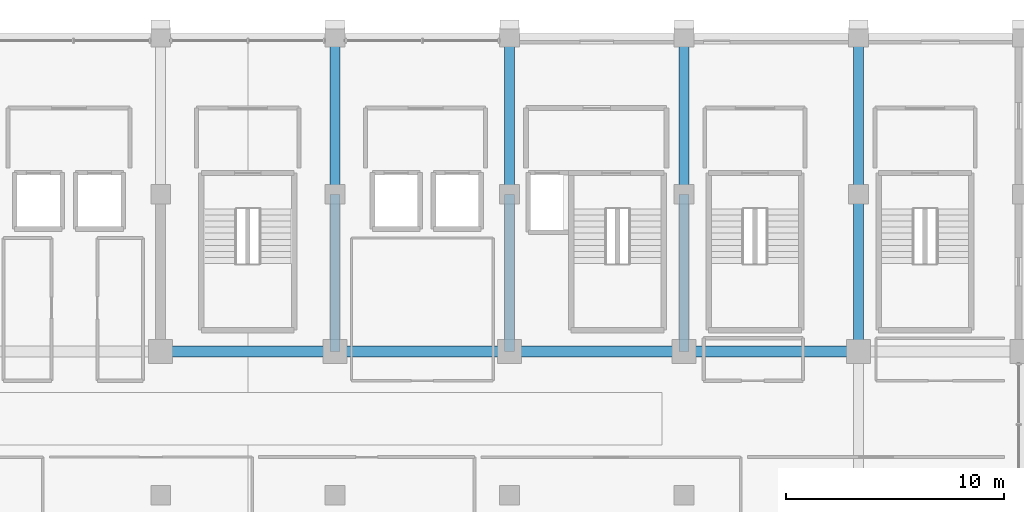
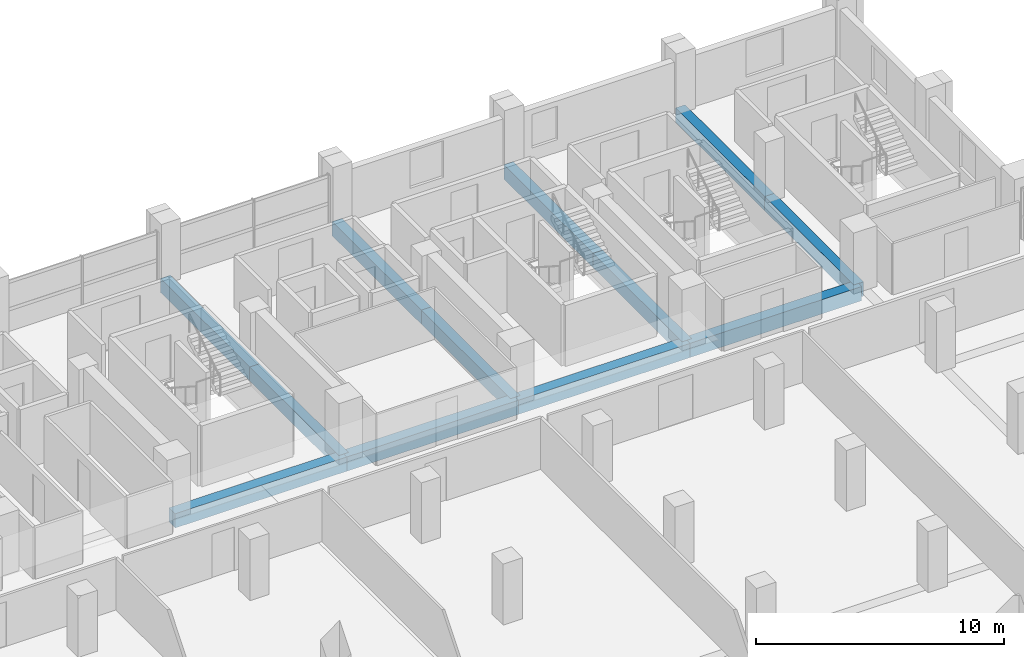
# One storey, part 11 of 21: 12 beams.
"""IFC4 building model written with IfcOpenShell, lengths in metres."""

import ifcopenshell
import ifcopenshell.guid

model = None  # the IFC model being written
_history = None  # IfcOwnerHistory: only IFC2X3 demands one
_inside = {}  # id of a spatial element -> (the spatial element, [elements in it])
_under = {}  # id of a project, library or spatial element -> (it, [spatial elements below it])
_declared = {}  # id of a project -> (the project, [libraries it declares])
_typed = {}  # id of a type object -> (the type object, [elements of that type])
_made_of = {}  # id of a material, layer set ... -> (it, [elements and type objects made of it])


def new_model(schema):
    """Start an empty IFC model of exactly this schema.

    Asked for "IFC4X3", IfcOpenShell would pick the latest addendum, in which some entities
    have other attributes; the version numbers below select the first issue.
    IFC2X3 requires an IfcOwnerHistory on every rooted entity: one is made here for all.
    """
    global model, _history
    if schema == "IFC4X3":
        model = ifcopenshell.file(schema_version=(4, 3, 0, 0))
    else:
        model = ifcopenshell.file(schema=schema)
    _inside.clear()
    _under.clear()
    _declared.clear()
    _typed.clear()
    _made_of.clear()
    _history = None
    if model.schema == "IFC2X3":
        org = make("IfcOrganization", Name="unknown")
        user = make(
            "IfcPersonAndOrganization",
            ThePerson=make("IfcPerson", FamilyName="unknown"),
            TheOrganization=org,
        )
        app = make(
            "IfcApplication",
            ApplicationDeveloper=org,
            Version="unknown",
            ApplicationFullName="unknown",
            ApplicationIdentifier="unknown",
        )
        _history = make(
            "IfcOwnerHistory",
            OwningUser=user,
            OwningApplication=app,
            ChangeAction="ADDED",
            CreationDate=0,
        )
    return model


def make(cls, **values):
    """One entity of the class cls with the attributes given. An attribute that is None is left unset."""
    return model.create_entity(
        cls, **{name: value for name, value in values.items() if value is not None}
    )


def rooted(cls, **values):
    """An entity with a GlobalId (a new one), such as an element, a storey or a relation."""
    return make(cls, GlobalId=ifcopenshell.guid.new(), OwnerHistory=_history, **values)


def si_unit(unit_type, name, prefix=None):
    """IfcSIUnit, for example si_unit("LENGTHUNIT", "METRE", prefix="MILLI")."""
    return make("IfcSIUnit", UnitType=unit_type, Prefix=prefix, Name=name)


def assignment(units):
    """IfcUnitAssignment: the units of a project."""
    return None if units is None else make("IfcUnitAssignment", Units=units)


def point(xyz):
    """IfcCartesianPoint."""
    return None if xyz is None else make("IfcCartesianPoint", Coordinates=xyz)


def direction(xyz):
    """IfcDirection."""
    return None if xyz is None else make("IfcDirection", DirectionRatios=xyz)


def frame(location, z_axis=None, x_axis=None):
    """IfcAxis2Placement3D, a coordinate frame: its origin and axes. An axis left out is left unset."""
    return make(
        "IfcAxis2Placement3D",
        Location=point(location),
        Axis=direction(z_axis),
        RefDirection=direction(x_axis),
    )


def frame_2d(location, x_axis=None):
    """IfcAxis2Placement2D, a coordinate frame in the plane: its origin and x axis."""
    return make(
        "IfcAxis2Placement2D", Location=point(location), RefDirection=direction(x_axis)
    )


def origin():
    """The frame at (0, 0, 0) with its axes left unset."""
    return frame((0.0, 0.0, 0.0))


def origin_2d():
    """The frame at (0, 0) in the plane with its x axis left unset."""
    return frame_2d((0.0, 0.0))


def place(relative_to, where):
    """IfcLocalPlacement: puts the frame where relative to a parent placement (None: the world)."""
    return make(
        "IfcLocalPlacement", PlacementRelTo=relative_to, RelativePlacement=where
    )


def context(
    kind, dimensions, precision=None, world=None, true_north=None, identifier=None
):
    """IfcGeometricRepresentationContext, for example the 3D "Model" context."""
    return make(
        "IfcGeometricRepresentationContext",
        ContextIdentifier=identifier,
        ContextType=kind,
        CoordinateSpaceDimension=dimensions,
        Precision=precision,
        WorldCoordinateSystem=world,
        TrueNorth=true_north,
    )


def subcontext(parent, identifier, kind, view, scale=None):
    """IfcGeometricRepresentationSubContext, for example "Body" below "Model"."""
    return make(
        "IfcGeometricRepresentationSubContext",
        ContextIdentifier=identifier,
        ContextType=kind,
        ParentContext=parent,
        TargetScale=scale,
        TargetView=view,
    )


def project(units=None, contexts=None):
    """IfcProject with its units and contexts."""
    return rooted(
        "IfcProject",
        Name="project",
        RepresentationContexts=contexts,
        UnitsInContext=assignment(units),
    )


def spatial(cls, under=None, at=None, **own):
    """A site, building, storey or space (cls), placed at a placement, below another one or the project."""
    s = rooted(cls, ObjectPlacement=at, **own)
    if under is not None:
        _under.setdefault(under.id(), (under, []))[1].append(s)
    return s


def profile(cls, at=None, kind="AREA", **sizes):
    """A parametric profile (cls). Its sizes go by their IFC names, for example OverallWidth=200.0."""
    return make(cls, ProfileType=kind, Position=at, **sizes)


def rectangle(**sizes):
    """IfcRectangleProfileDef."""
    return profile("IfcRectangleProfileDef", **sizes)


def extrude(swept, where, along, depth):
    """IfcExtrudedAreaSolid: the profile swept, set in the frame where, extruded along a direction by depth."""
    return make(
        "IfcExtrudedAreaSolid",
        SweptArea=swept,
        Position=where,
        ExtrudedDirection=direction(along),
        Depth=depth,
    )


def shape(context_of_items, identifier, shape_type, items):
    """IfcShapeRepresentation: the items that make up one representation, for example the "Body"."""
    return make(
        "IfcShapeRepresentation",
        ContextOfItems=context_of_items,
        RepresentationIdentifier=identifier,
        RepresentationType=shape_type,
        Items=items,
    )


def material(Name=None, Category=None):
    """IfcMaterial."""
    return make("IfcMaterial", Name=Name, Category=Category)


def material_profile(
    of_material, cross_section, Name=None, Category=None, Priority=None
):
    """IfcMaterialProfile: a cross section and its material."""
    return make(
        "IfcMaterialProfile",
        Name=Name,
        Material=of_material,
        Profile=cross_section,
        Priority=Priority,
        Category=Category,
    )


def profile_set(profiles, Name=None, composite=None):
    """IfcMaterialProfileSet."""
    return make(
        "IfcMaterialProfileSet",
        Name=Name,
        MaterialProfiles=profiles,
        CompositeProfile=composite,
    )


def made_of(thing, what):
    """Note that an element or type object is made of a material, layer set ...; save() writes the relation."""
    if what is not None:
        _made_of.setdefault(what.id(), (what, []))[1].append(thing)
    return thing


def type_object(cls, material=None, **own):
    """A type object (cls), such as IfcWallType, which elements share."""
    return made_of(rooted(cls, **own), material)


def element(
    cls,
    number,
    at=None,
    inside=None,
    cuts=None,
    type_object=None,
    material=None,
    context=None,
    identifier="Body",
    shape_type=None,
    held_by="IfcProductDefinitionShape",
    body=None,
    shapes=None,
    **own,
):
    """One element of the class cls, such as IfcWall. Its Tag is "e" and its number.

    at: its placement. inside: the storey or other place that contains it. cuts: it is an
    opening in that element (IfcRelVoidsElement). A single representation is given by context,
    identifier, shape_type and body (its items); several are given by shapes. held_by: the class
    of the entity that holds the representations. save() writes the other relations.
    """
    e = rooted(cls, Tag="e%d" % number, ObjectPlacement=at, **own)
    if body is not None:
        shapes = [shape(context, identifier, shape_type, body)]
    if shapes is not None:
        e.Representation = make(held_by, Representations=shapes)
    if inside is not None:
        _inside.setdefault(inside.id(), (inside, []))[1].append(e)
    if cuts is not None:
        rooted(
            "IfcRelVoidsElement", RelatingBuildingElement=cuts, RelatedOpeningElement=e
        )
    if type_object is not None:
        _typed.setdefault(type_object.id(), (type_object, []))[1].append(e)
    return made_of(e, material)


def aggregate(whole, parts):
    """IfcRelAggregates: a whole, such as a stair, and the parts it consists of."""
    return rooted("IfcRelAggregates", RelatingObject=whole, RelatedObjects=parts)


def save(model, path):
    """Write the relations noted so far, then the file.

    IfcRelAggregates (storeys below a building ...), IfcRelContainedInSpatialStructure (elements
    in a storey), IfcRelDefinesByType, IfcRelAssociatesMaterial and IfcRelDeclares: one each for
    every whole, place, type object, material and project.
    """
    for whole, parts in _under.values():
        aggregate(whole, parts)
    for where, things in _inside.values():
        rooted(
            "IfcRelContainedInSpatialStructure",
            RelatedElements=things,
            RelatingStructure=where,
        )
    for kind, things in _typed.values():
        rooted("IfcRelDefinesByType", RelatedObjects=things, RelatingType=kind)
    for what, things in _made_of.values():
        rooted("IfcRelAssociatesMaterial", RelatedObjects=things, RelatingMaterial=what)
    for by, libraries in _declared.values():
        rooted("IfcRelDeclares", RelatingContext=by, RelatedDefinitions=libraries)
    model.write(path)


model = new_model("IFC4")

# Units and contexts
model_context = context("Model", 3, precision=1e-05, world=origin(), true_north=direction((0.0, 1.0)))
body_context = subcontext(model_context, "Body", "Model", "MODEL_VIEW")
ifc_project = project(units=[si_unit("LENGTHUNIT", "METRE"), si_unit("AREAUNIT", "SQUARE_METRE"), si_unit("VOLUMEUNIT", "CUBIC_METRE"), si_unit("PLANEANGLEUNIT", "RADIAN"), si_unit("MASSUNIT", "GRAM", prefix="KILO")], contexts=[model_context])

# Site, building, storey
site_placement = place(None, origin())
site = spatial("IfcSite", under=ifc_project, at=site_placement, CompositionType="ELEMENT")
building_placement = place(site_placement, origin())
building = spatial("IfcBuilding", under=site, at=building_placement, Name="Akrevak Sports Hall", CompositionType="ELEMENT")
storey_placement = place(building_placement, frame((0.0, 0.0, 34.050048828125)))
storey = spatial("IfcBuildingStorey", under=building, at=storey_placement, Name="L07", CompositionType="ELEMENT", Elevation=34.050048828125)

# Beams
ifc_material = material(Name="Concrete C40/50", Category="concrete")
ifc_material_profile_1 = material_profile(ifc_material, rectangle(XDim=0.449951171875, YDim=0.699951171875, at=origin_2d()), Name="BM 450x700", Category="concrete")
ifc_profile_set_1 = profile_set([ifc_material_profile_1], Name="Concrete C40/50")
beam_type_1 = type_object("IfcBeamType", Name="STR-BM-RC450x700", PredefinedType="BEAM", material=ifc_profile_set_1)
beam_1_placement = place(storey_placement, frame((84.0, 55.199951171875, -0.35009765625), z_axis=(0.0, 1.0, 0.0), x_axis=(-1.0, 0.0, 0.0)))
element("IfcBeam", 1, at=beam_1_placement, inside=storey, type_object=beam_type_1, Name="Girder 12/I-J (L07)", PredefinedType="BEAM", context=body_context, shape_type="SweptSolid", body=[
    extrude(rectangle(XDim=0.449951171875, YDim=0.699951171875, at=origin_2d()), origin(), (0.0, 0.0, 1.0), 7.199951171875),
])
beam_2_placement = place(storey_placement, frame((84.0, 62.39990234375, -0.35009765625), z_axis=(0.0, 1.0, 0.0), x_axis=(-1.0, 0.0, 0.0)))
element("IfcBeam", 2, at=beam_2_placement, inside=storey, type_object=beam_type_1, Name="Girder 12/J-K (L07)", PredefinedType="BEAM", context=body_context, shape_type="SweptSolid", body=[
    extrude(rectangle(XDim=0.449951171875, YDim=0.699951171875, at=origin_2d()), origin(), (0.0, 0.0, 1.0), 7.2001953125),
])
beam_3_placement = place(storey_placement, frame((92.0, 55.199951171875, -0.35009765625), z_axis=(0.0, 1.0, 0.0), x_axis=(-1.0, 0.0, 0.0)))
element("IfcBeam", 3, at=beam_3_placement, inside=storey, type_object=beam_type_1, Name="Girder 13/I-J (L07)", PredefinedType="BEAM", context=body_context, shape_type="SweptSolid", body=[
    extrude(rectangle(XDim=0.449951171875, YDim=0.699951171875, at=origin_2d()), origin(), (0.0, 0.0, 1.0), 7.199951171875),
])
beam_4_placement = place(storey_placement, frame((92.0, 62.39990234375, -0.35009765625), z_axis=(0.0, 1.0, 0.0), x_axis=(-1.0, 0.0, 0.0)))
element("IfcBeam", 4, at=beam_4_placement, inside=storey, type_object=beam_type_1, Name="Girder 13/J-K (L07)", PredefinedType="BEAM", context=body_context, shape_type="SweptSolid", body=[
    extrude(rectangle(XDim=0.449951171875, YDim=0.699951171875, at=origin_2d()), origin(), (0.0, 0.0, 1.0), 7.2001953125),
])
beam_5_placement = place(storey_placement, frame((100.0, 55.199951171875, -0.35009765625), z_axis=(0.0, 1.0, 0.0), x_axis=(-1.0, 0.0, 0.0)))
element("IfcBeam", 5, at=beam_5_placement, inside=storey, type_object=beam_type_1, Name="Girder 14/I-J (L07)", PredefinedType="BEAM", context=body_context, shape_type="SweptSolid", body=[
    extrude(rectangle(XDim=0.449951171875, YDim=0.699951171875, at=origin_2d()), origin(), (0.0, 0.0, 1.0), 7.199951171875),
])
beam_6_placement = place(storey_placement, frame((100.0, 62.39990234375, -0.35009765625), z_axis=(0.0, 1.0, 0.0), x_axis=(-1.0, 0.0, 0.0)))
element("IfcBeam", 6, at=beam_6_placement, inside=storey, type_object=beam_type_1, Name="Girder 14/J-K (L07)", PredefinedType="BEAM", context=body_context, shape_type="SweptSolid", body=[
    extrude(rectangle(XDim=0.449951171875, YDim=0.699951171875, at=origin_2d()), origin(), (0.0, 0.0, 1.0), 7.2001953125),
])
beam_7_placement = place(storey_placement, frame((108.0, 55.199951171875, -0.35009765625), z_axis=(0.0, 1.0, 0.0), x_axis=(-1.0, 0.0, 0.0)))
element("IfcBeam", 7, at=beam_7_placement, inside=storey, type_object=beam_type_1, Name="Girder 15/I-J (L07)", PredefinedType="BEAM", context=body_context, shape_type="SweptSolid", body=[
    extrude(rectangle(XDim=0.449951171875, YDim=0.699951171875, at=origin_2d()), origin(), (0.0, 0.0, 1.0), 7.199951171875),
])
beam_8_placement = place(storey_placement, frame((108.0, 62.39990234375, -0.35009765625), z_axis=(0.0, 1.0, 0.0), x_axis=(-1.0, 0.0, 0.0)))
element("IfcBeam", 8, at=beam_8_placement, inside=storey, type_object=beam_type_1, Name="Girder 15/J-K (L07)", PredefinedType="BEAM", context=body_context, shape_type="SweptSolid", body=[
    extrude(rectangle(XDim=0.449951171875, YDim=0.699951171875, at=origin_2d()), origin(), (0.0, 0.0, 1.0), 7.2001953125),
])
ifc_material_profile_2 = material_profile(ifc_material, rectangle(XDim=0.5, YDim=0.699951171875, at=origin_2d()), Name="BM 500x700", Category="concrete")
ifc_profile_set_2 = profile_set([ifc_material_profile_2], Name="Concrete C40/50")
beam_type_2 = type_object("IfcBeamType", Name="STR-BM-RC500x700", PredefinedType="BEAM", material=ifc_profile_set_2)
for number, where, z_axis, x_axis, name in (
    (9, (76.0, 55.199951171875, -0.35009765625), (1.0, 0.0, 0.0), (0.0, 1.0, 0.0), "Girder I/11-12 (L07)"),
    (10, (84.0, 55.199951171875, -0.35009765625), (1.0, 0.0, 0.0), (0.0, 1.0, 0.0), "Girder I/12-13 (L07)"),
    (11, (92.0, 55.199951171875, -0.35009765625), (1.0, 0.0, 0.0), (0.0, 1.0, 0.0), "Girder I/13-14 (L07)"),
    (12, (100.0, 55.199951171875, -0.35009765625), (1.0, 0.0, 0.0), (0.0, 1.0, 0.0), "Girder I/14-15 (L07)"),
):
    element("IfcBeam", number, at=place(storey_placement, frame(where, z_axis=z_axis, x_axis=x_axis)), inside=storey, type_object=beam_type_2, Name=name, PredefinedType="BEAM", context=body_context, shape_type="SweptSolid", body=[
        extrude(rectangle(XDim=0.5, YDim=0.699951171875, at=origin_2d()), origin(), (0.0, 0.0, 1.0), 8.0),
    ])

save(model, "model.ifc")
